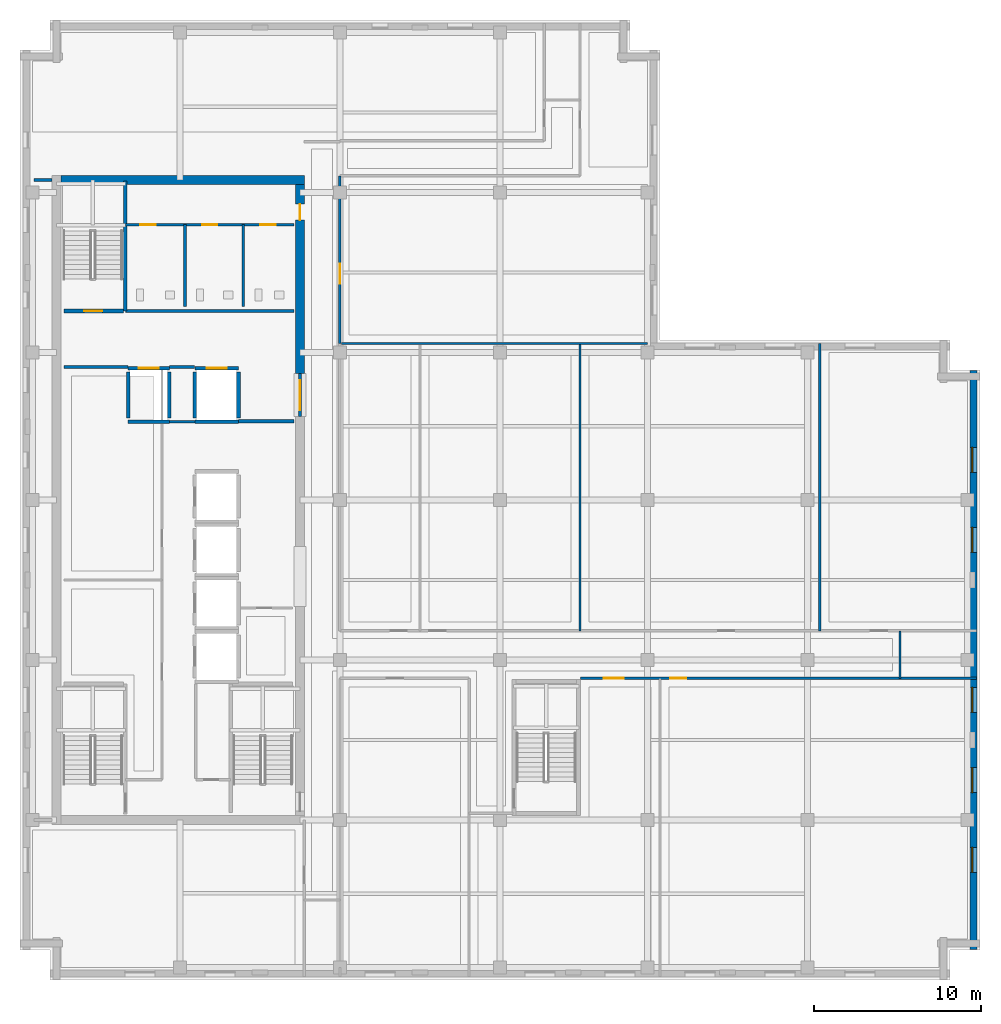
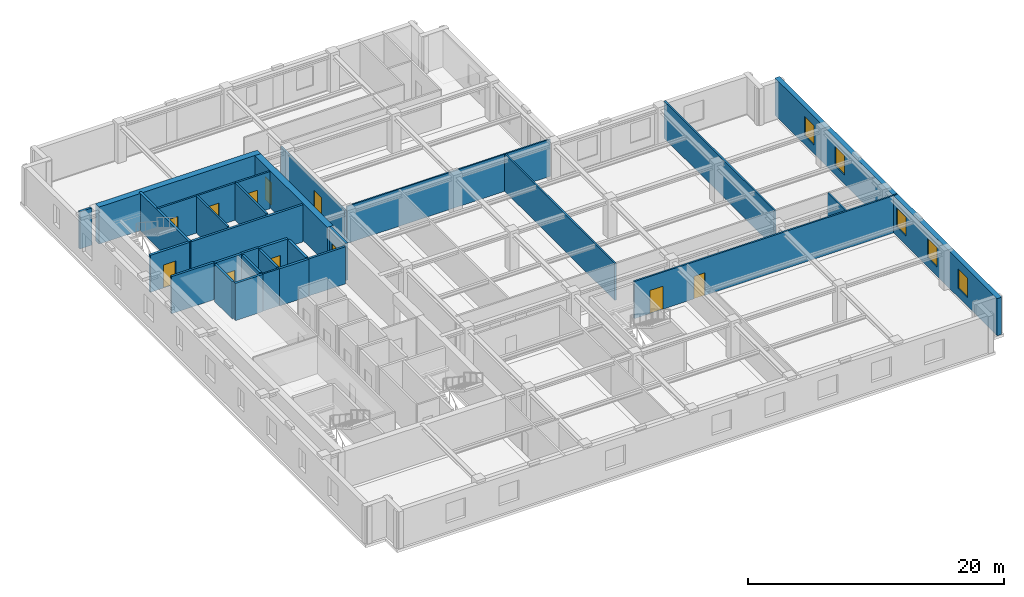
# One storey, part 5 of 10: 29 walls, 11 doors, 5 windows, 16 openings.
"""IFC4 building model written with IfcOpenShell, lengths in metres."""

from ifc_helpers import new_model, si_unit, direction, frame, frame_2d, origin, place, context, subcontext, project, spatial, rectangle, extrude, material, layer, layer_set, type_object, element, fill, save


model = new_model("IFC4")

# Units and contexts
model_context = context("Model", 3, precision=1e-05, world=origin(), true_north=direction((0.0, 1.0)))
body_context = subcontext(model_context, "Body", "Model", "MODEL_VIEW")
ifc_project = project(units=[si_unit("LENGTHUNIT", "METRE"), si_unit("AREAUNIT", "SQUARE_METRE"), si_unit("VOLUMEUNIT", "CUBIC_METRE"), si_unit("PLANEANGLEUNIT", "RADIAN"), si_unit("MASSUNIT", "GRAM", prefix="KILO")], contexts=[model_context])

# Site, building, storey
site_placement = place(None, origin())
site = spatial("IfcSite", under=ifc_project, at=site_placement, CompositionType="ELEMENT")
building_placement = place(site_placement, origin())
building = spatial("IfcBuilding", under=site, at=building_placement, Name="Norrvale University Quadrangle", CompositionType="ELEMENT")
storey_placement = place(building_placement, frame((0.0, 0.0, 229.39990234375)))
storey = spatial("IfcBuildingStorey", under=building, at=storey_placement, Name="L58", CompositionType="ELEMENT", Elevation=229.39990234375)

# Wall, openings, windows
ifc_material_1 = material(Name="Buff Norman Clay Brick Masonry", Category="masonry")
ifc_layer_1 = layer(ifc_material_1, 0.419921875, Name="Buff Norman Clay Brick Masonry")
ifc_layer_set_1 = layer_set([ifc_layer_1], Name="Buff Norman Clay Brick Masonry")
wall_type_1 = type_object("IfcWallType", Name="Wall Buff Brick 420", PredefinedType="SOLIDWALL", material=ifc_layer_set_1)
wall_1_placement = place(storey_placement, frame((57.2099609375, 1.840087890625, 0.0), z_axis=(0.0, 0.0, 1.0), x_axis=(0.0, 1.0, 0.0)))
wall_1 = element("IfcWall", 1, at=wall_1_placement, inside=storey, type_object=wall_type_1, Name="Exterior Brick Facade Wall L58-04.1", PredefinedType="SOLIDWALL", context=body_context, shape_type="SweptSolid", body=[
    extrude(rectangle(XDim=34.719970703125, YDim=0.419921875, at=frame_2d((17.35986328125, 0.0))), origin(), (0.0, 0.0, 1.0), 3.5400390625),
])
opening_1_placement = place(wall_1_placement, frame((4.610107421875, 0.0, 0.85009765625)))
opening_1 = element("IfcOpeningElement", 2, at=opening_1_placement, cuts=wall_1, Name="Opening W03", PredefinedType="OPENING", context=body_context, shape_type="SweptSolid", body=[
    extrude(rectangle(XDim=1.5, YDim=1.85009765625, at=frame_2d((0.75, 0.925048828125))), frame((0.0, 0.221923828125, 0.0), z_axis=(0.0, -1.0, 0.0), x_axis=(1.0, 0.0, 0.0)), (0.0, 0.0, 1.0), 0.44384765625),
])
opening_2_placement = place(wall_1_placement, frame((9.409912109375, 0.0, 0.85009765625)))
opening_2 = element("IfcOpeningElement", 3, at=opening_2_placement, cuts=wall_1, Name="Opening W03", PredefinedType="OPENING", context=body_context, shape_type="SweptSolid", body=[
    extrude(rectangle(XDim=1.5, YDim=1.85009765625, at=frame_2d((0.75, 0.925048828125))), frame((0.0, 0.221923828125, 0.0), z_axis=(0.0, -1.0, 0.0), x_axis=(1.0, 0.0, 0.0)), (0.0, 0.0, 1.0), 0.44384765625),
])
opening_3_placement = place(wall_1_placement, frame((14.2099609375, 0.0, 0.85009765625)))
opening_3 = element("IfcOpeningElement", 4, at=opening_3_placement, cuts=wall_1, Name="Opening W03", PredefinedType="OPENING", context=body_context, shape_type="SweptSolid", body=[
    extrude(rectangle(XDim=1.5, YDim=1.85009765625, at=frame_2d((0.75, 0.925048828125))), frame((0.0, 0.221923828125, 0.0), z_axis=(0.0, -1.0, 0.0), x_axis=(1.0, 0.0, 0.0)), (0.0, 0.0, 1.0), 0.44384765625),
])
opening_4_placement = place(wall_1_placement, frame((23.81005859375, 0.0, 0.85009765625)))
opening_4 = element("IfcOpeningElement", 5, at=opening_4_placement, cuts=wall_1, Name="Opening W03", PredefinedType="OPENING", context=body_context, shape_type="SweptSolid", body=[
    extrude(rectangle(XDim=1.5, YDim=1.85009765625, at=frame_2d((0.75, 0.925048828125))), frame((0.0, 0.221923828125, 0.0), z_axis=(0.0, -1.0, 0.0), x_axis=(1.0, 0.0, 0.0)), (0.0, 0.0, 1.0), 0.44384765625),
])
opening_5_placement = place(wall_1_placement, frame((28.610107421875, 0.0, 0.85009765625)))
opening_5 = element("IfcOpeningElement", 6, at=opening_5_placement, cuts=wall_1, Name="Opening W03", PredefinedType="OPENING", context=body_context, shape_type="SweptSolid", body=[
    extrude(rectangle(XDim=1.5, YDim=1.85009765625, at=frame_2d((0.75, 0.925048828125))), frame((0.0, 0.221923828125, 0.0), z_axis=(0.0, -1.0, 0.0), x_axis=(1.0, 0.0, 0.0)), (0.0, 0.0, 1.0), 0.44384765625),
])
ifc_material_2 = material(Name="Triple Low-E Argon Glazing", Category="glass")
window_type = type_object("IfcWindowType", Name="Window Studio 1500x2300", PartitioningType="DOUBLE_PANEL_VERTICAL", PredefinedType="WINDOW", material=ifc_material_2)
window_1_placement = place(opening_1_placement, origin())
window_1 = element("IfcWindow", 7, at=window_1_placement, inside=storey, type_object=window_type, Name="Window Studio 1500x2300 WIN-L58-E04-1-01", OverallHeight=1.85009765625, OverallWidth=1.5, PartitioningType="DOUBLE_PANEL_VERTICAL", PredefinedType="WINDOW", context=body_context, shape_type="SweptSolid", body=[
    extrude(rectangle(XDim=1.5, YDim=1.85009765625, at=frame_2d((0.75, 0.925048828125))), frame((0.0, 0.110107421875, 0.0), z_axis=(0.0, -1.0, 0.0), x_axis=(1.0, 0.0, 0.0)), (0.0, 0.0, 1.0), 0.06005859375),
])
fill(opening_1, window_1)
window_2_placement = place(opening_2_placement, origin())
window_2 = element("IfcWindow", 8, at=window_2_placement, inside=storey, type_object=window_type, Name="Window Studio 1500x2300 WIN-L58-E04-1-02", OverallHeight=1.85009765625, OverallWidth=1.5, PartitioningType="DOUBLE_PANEL_VERTICAL", PredefinedType="WINDOW", context=body_context, shape_type="SweptSolid", body=[
    extrude(rectangle(XDim=1.5, YDim=1.85009765625, at=frame_2d((0.75, 0.925048828125))), frame((0.0, 0.110107421875, 0.0), z_axis=(0.0, -1.0, 0.0), x_axis=(1.0, 0.0, 0.0)), (0.0, 0.0, 1.0), 0.06005859375),
])
fill(opening_2, window_2)
window_3_placement = place(opening_3_placement, origin())
window_3 = element("IfcWindow", 9, at=window_3_placement, inside=storey, type_object=window_type, Name="Window Studio 1500x2300 WIN-L58-E04-1-03", OverallHeight=1.85009765625, OverallWidth=1.5, PartitioningType="DOUBLE_PANEL_VERTICAL", PredefinedType="WINDOW", context=body_context, shape_type="SweptSolid", body=[
    extrude(rectangle(XDim=1.5, YDim=1.85009765625, at=frame_2d((0.75, 0.925048828125))), frame((0.0, 0.110107421875, 0.0), z_axis=(0.0, -1.0, 0.0), x_axis=(1.0, 0.0, 0.0)), (0.0, 0.0, 1.0), 0.06005859375),
])
fill(opening_3, window_3)
window_4_placement = place(opening_4_placement, origin())
window_4 = element("IfcWindow", 10, at=window_4_placement, inside=storey, type_object=window_type, Name="Window Studio 1500x2300 WIN-L58-E04-1-04", OverallHeight=1.85009765625, OverallWidth=1.5, PartitioningType="DOUBLE_PANEL_VERTICAL", PredefinedType="WINDOW", context=body_context, shape_type="SweptSolid", body=[
    extrude(rectangle(XDim=1.5, YDim=1.85009765625, at=frame_2d((0.75, 0.925048828125))), frame((0.0, 0.110107421875, 0.0), z_axis=(0.0, -1.0, 0.0), x_axis=(1.0, 0.0, 0.0)), (0.0, 0.0, 1.0), 0.06005859375),
])
fill(opening_4, window_4)
window_5_placement = place(opening_5_placement, origin())
window_5 = element("IfcWindow", 11, at=window_5_placement, inside=storey, type_object=window_type, Name="Window Studio 1500x2300 WIN-L58-E04-1-05", OverallHeight=1.85009765625, OverallWidth=1.5, PartitioningType="DOUBLE_PANEL_VERTICAL", PredefinedType="WINDOW", context=body_context, shape_type="SweptSolid", body=[
    extrude(rectangle(XDim=1.5, YDim=1.85009765625, at=frame_2d((0.75, 0.925048828125))), frame((0.0, 0.110107421875, 0.0), z_axis=(0.0, -1.0, 0.0), x_axis=(1.0, 0.0, 0.0)), (0.0, 0.0, 1.0), 0.06005859375),
])
fill(opening_5, window_5)

# Wall
ifc_material_3 = material(Name="Concrete C60/75", Category="concrete")
ifc_layer_2 = layer(ifc_material_3, 0.550048828125, Name="Concrete C60/75")
ifc_layer_set_2 = layer_set([ifc_layer_2], Name="Concrete C60/75")
wall_type_2 = type_object("IfcWallType", Name="Wall Core 550", PredefinedType="SHEAR", material=ifc_layer_set_2)
wall_2_placement = place(storey_placement, frame((2.47509765625, 48.0, 0.0), z_axis=(0.0, 0.0, 1.0), x_axis=(1.0, 0.0, 0.0)))
element("IfcWall", 12, at=wall_2_placement, inside=storey, type_object=wall_type_2, Name="Tower Core Shear Wall L58-N", PredefinedType="SHEAR", context=body_context, shape_type="SweptSolid", body=[
    extrude(rectangle(XDim=14.599853515625, YDim=0.550048828125, at=frame_2d((7.2998046875, 0.0))), origin(), (0.0, 0.0, 1.0), 3.5400390625),
])

# Wall, opening, door
wall_3_placement = place(storey_placement, frame((16.800048828125, 36.39990234375, 0.0), z_axis=(0.0, 0.0, 1.0), x_axis=(0.0, 1.0, 0.0)))
wall_3 = element("IfcWall", 13, at=wall_3_placement, inside=storey, type_object=wall_type_2, Name="Tower Core Shear Wall L58-E3", PredefinedType="SHEAR", context=body_context, shape_type="SweptSolid", body=[
    extrude(rectangle(XDim=11.3251953125, YDim=0.550048828125, at=frame_2d((5.66259765625, 0.0))), origin(), (0.0, 0.0, 1.0), 3.5400390625),
])
opening_6_placement = place(wall_3_placement, frame((9.199951171875, 0.0, 0.0)))
opening_6 = element("IfcOpeningElement", 14, at=opening_6_placement, cuts=wall_3, Name="Opening D07", PredefinedType="OPENING", context=body_context, shape_type="SweptSolid", body=[
    extrude(rectangle(XDim=0.949951171875, YDim=2.14990234375, at=frame_2d((0.47509765625, 1.074951171875))), frame((0.0, 0.287109375, 0.0), z_axis=(0.0, -1.0, 0.0), x_axis=(1.0, 0.0, 0.0)), (0.0, 0.0, 1.0), 0.573974609375),
])
ifc_material_4 = material(Name="Solid-Core Maple Door", Category="wood")
door_type_1 = type_object("IfcDoorType", Name="Door Office 950x2150", OperationType="NOTDEFINED", PredefinedType="DOOR", material=ifc_material_4)
door_1_placement = place(opening_6_placement, origin())
door_1 = element("IfcDoor", 15, at=door_1_placement, inside=storey, type_object=door_type_1, Name="Door Office 950x2150 DR-L58-NECORR", OperationType="SINGLE_SWING_LEFT", OverallHeight=2.14990234375, OverallWidth=0.949951171875, PredefinedType="DOOR", context=body_context, shape_type="SweptSolid", body=[
    extrude(rectangle(XDim=0.949951171875, YDim=2.14990234375, at=frame_2d((0.47509765625, 1.074951171875))), frame((0.0, 0.02490234375, 0.0), z_axis=(0.0, -1.0, 0.0), x_axis=(1.0, 0.0, 0.0)), (0.0, 0.0, 1.0), 0.050048828125),
])
fill(opening_6, door_1)

# Walls
ifc_material_5 = material(Name="Standard Academic Gypsum Partition")
ifc_layer_3 = layer(ifc_material_5, 0.125, Name="Standard Academic Gypsum Partition")
ifc_layer_set_3 = layer_set([ifc_layer_3], Name="Standard Academic Gypsum Partition")
wall_type_3 = type_object("IfcWallType", Name="Wall Gypsum Academic 125", PredefinedType="PARTITIONING", material=ifc_layer_set_3)
wall_4_placement = place(storey_placement, frame((19.280029296875, 38.179931640625, 0.0), z_axis=(0.0, 0.0, 1.0), x_axis=(1.0, 0.0, 0.0)))
element("IfcWall", 16, at=wall_4_placement, inside=storey, type_object=wall_type_3, Name="Interior Partition WL-L58-ME-N", PredefinedType="PARTITIONING", context=body_context, shape_type="SweptSolid", body=[
    extrude(rectangle(XDim=18.369873046875, YDim=0.125, at=frame_2d((9.18505859375, 0.0))), origin(), (0.0, 0.0, 1.0), 3.5400390625),
])
ifc_material_6 = material(Name="Fire-Rated Gypsum Stud Partition")
ifc_layer_4 = layer(ifc_material_6, 0.14990234375, Name="Fire-Rated Gypsum Stud Partition")
ifc_layer_set_4 = layer_set([ifc_layer_4], Name="Fire-Rated Gypsum Stud Partition")
wall_type_4 = type_object("IfcWallType", Name="Wall Gypsum Corridor 150", PredefinedType="PARTITIONING", material=ifc_layer_set_4)
wall_5_placement = place(storey_placement, frame((8.965087890625, 33.489990234375, 0.0), z_axis=(0.0, 0.0, 1.0), x_axis=(1.0, 0.0, 0.0)))
element("IfcWall", 17, at=wall_5_placement, inside=storey, type_object=wall_type_4, Name="Interior Partition WL-L58-LL3", PredefinedType="PARTITIONING", context=body_context, shape_type="SweptSolid", body=[
    extrude(rectangle(XDim=1.52001953125, YDim=0.14990234375, at=frame_2d((0.760009765625, 0.0))), origin(), (0.0, 0.0, 1.0), 3.5400390625),
])
wall_6_placement = place(storey_placement, frame((52.800048828125, 18.10009765625, 0.0), z_axis=(0.0, 0.0, 1.0), x_axis=(0.0, 1.0, 0.0)))
element("IfcWall", 18, at=wall_6_placement, inside=storey, type_object=wall_type_4, Name="Interior Partition WL-L58-CESP-E", PredefinedType="PARTITIONING", context=body_context, shape_type="SweptSolid", body=[
    extrude(rectangle(XDim=2.849853515625, YDim=0.14990234375, at=frame_2d((1.4248046875, 0.0))), origin(), (0.0, 0.0, 1.0), 3.5400390625),
])

# Wall, openings, doors
wall_7_placement = place(storey_placement, frame((33.6201171875, 18.10009765625, 0.0), z_axis=(0.0, 0.0, 1.0), x_axis=(1.0, 0.0, 0.0)))
wall_7 = element("IfcWall", 19, at=wall_7_placement, inside=storey, type_object=wall_type_4, Name="Interior Partition WL-L58-SEW2", PredefinedType="PARTITIONING", context=body_context, shape_type="SweptSolid", body=[
    extrude(rectangle(XDim=23.759765625, YDim=0.14990234375, at=frame_2d((11.8798828125, 0.0))), origin(), (0.0, 0.0, 1.0), 3.5400390625),
])
opening_7_placement = place(wall_7_placement, frame((1.39990234375, 0.0, 0.0)))
opening_7 = element("IfcOpeningElement", 20, at=opening_7_placement, cuts=wall_7, Name="Opening D05", PredefinedType="OPENING", context=body_context, shape_type="SweptSolid", body=[
    extrude(rectangle(XDim=1.199951171875, YDim=2.199951171875, at=frame_2d((0.60009765625, 1.10009765625))), frame((0.0, 0.0869140625, 0.0), z_axis=(0.0, -1.0, 0.0), x_axis=(1.0, 0.0, 0.0)), (0.0, 0.0, 1.0), 0.173828125),
])
opening_8_placement = place(wall_7_placement, frame((5.39990234375, 0.0, 0.0)))
opening_8 = element("IfcOpeningElement", 21, at=opening_8_placement, cuts=wall_7, Name="Opening D07", PredefinedType="OPENING", context=body_context, shape_type="SweptSolid", body=[
    extrude(rectangle(XDim=0.949951171875, YDim=2.14990234375, at=frame_2d((0.47509765625, 1.074951171875))), frame((0.0, 0.0869140625, 0.0), z_axis=(0.0, -1.0, 0.0), x_axis=(1.0, 0.0, 0.0)), (0.0, 0.0, 1.0), 0.173828125),
])
ifc_material_7 = material(Name="Acoustic Oak Classroom Door", Category="wood")
door_type_2 = type_object("IfcDoorType", Name="Door Classroom 1200x2200", OperationType="NOTDEFINED", PredefinedType="DOOR", material=ifc_material_7)
door_2_placement = place(opening_7_placement, origin())
door_2 = element("IfcDoor", 22, at=door_2_placement, inside=storey, type_object=door_type_2, Name="Door Classroom 1200x2200 DR-L58-SE2", OperationType="SINGLE_SWING_RIGHT", OverallHeight=2.199951171875, OverallWidth=1.199951171875, PredefinedType="DOOR", context=body_context, shape_type="SweptSolid", body=[
    extrude(rectangle(XDim=1.199951171875, YDim=2.199951171875, at=frame_2d((0.60009765625, 1.10009765625))), frame((0.0, 0.02490234375, 0.0), z_axis=(0.0, -1.0, 0.0), x_axis=(1.0, 0.0, 0.0)), (0.0, 0.0, 1.0), 0.050048828125),
])
fill(opening_7, door_2)
door_3_placement = place(opening_8_placement, origin())
door_3 = element("IfcDoor", 23, at=door_3_placement, inside=storey, type_object=door_type_1, Name="Door Office 950x2150 DR-L58-SE3", OperationType="SINGLE_SWING_LEFT", OverallHeight=2.14990234375, OverallWidth=0.949951171875, PredefinedType="DOOR", context=body_context, shape_type="SweptSolid", body=[
    extrude(rectangle(XDim=0.949951171875, YDim=2.14990234375, at=frame_2d((0.47509765625, 1.074951171875))), frame((0.0, 0.02490234375, 0.0), z_axis=(0.0, -1.0, 0.0), x_axis=(1.0, 0.0, 0.0)), (0.0, 0.0, 1.0), 0.050048828125),
])
fill(opening_8, door_3)

# Walls
for number, where, z_axis, x_axis, name in (
    (24, (33.60009765625, 20.949951171875, 0.0), (0.0, 0.0, 1.0), (0.0, 1.0, 0.0), "Interior Partition WL-L58-MEP02"),
    (25, (48.0, 20.949951171875, 0.0), (0.0, 0.0, 1.0), (0.0, 1.0, 0.0), "Interior Partition WL-L58-MEP03"),
):
    element("IfcWall", number, at=place(storey_placement, frame(where, z_axis=z_axis, x_axis=x_axis)), inside=storey, type_object=wall_type_4, Name=name, PredefinedType="PARTITIONING", context=body_context, shape_type="SweptSolid", body=[
        extrude(rectangle(XDim=17.22998046875, YDim=0.14990234375, at=frame_2d((8.614990234375, 0.0))), origin(), (0.0, 0.0, 1.0), 3.5400390625),
    ])

# Wall, opening, door
wall_8_placement = place(storey_placement, frame((19.199951171875, 38.179931640625, 0.0), z_axis=(0.0, 0.0, 1.0), x_axis=(0.0, 1.0, 0.0)))
wall_8 = element("IfcWall", 26, at=wall_8_placement, inside=storey, type_object=wall_type_4, Name="Interior Partition WL-L58-MNECW", PredefinedType="PARTITIONING", context=body_context, shape_type="SweptSolid", body=[
    extrude(rectangle(XDim=10.070068359375, YDim=0.14990234375, at=frame_2d((5.03515625, 0.0))), origin(), (0.0, 0.0, 1.0), 3.18408203125),
])
opening_9_placement = place(wall_8_placement, frame((3.60009765625, 0.0, 0.0)))
opening_9 = element("IfcOpeningElement", 27, at=opening_9_placement, cuts=wall_8, Name="Opening D05", PredefinedType="OPENING", context=body_context, shape_type="SweptSolid", body=[
    extrude(rectangle(XDim=1.199951171875, YDim=2.199951171875, at=frame_2d((0.60009765625, 1.10009765625))), frame((0.0, 0.0869140625, 0.0), z_axis=(0.0, -1.0, 0.0), x_axis=(1.0, 0.0, 0.0)), (0.0, 0.0, 1.0), 0.173828125),
])
door_4_placement = place(opening_9_placement, origin())
door_4 = element("IfcDoor", 28, at=door_4_placement, inside=storey, type_object=door_type_2, Name="Door Classroom 1200x2200 DR-L58-MNE01", OperationType="SINGLE_SWING_RIGHT", OverallHeight=2.199951171875, OverallWidth=1.199951171875, PredefinedType="DOOR", context=body_context, shape_type="SweptSolid", body=[
    extrude(rectangle(XDim=1.199951171875, YDim=2.199951171875, at=frame_2d((0.60009765625, 1.10009765625))), frame((0.0, 0.02490234375, 0.0), z_axis=(0.0, -1.0, 0.0), x_axis=(1.0, 0.0, 0.0)), (0.0, 0.0, 1.0), 0.050048828125),
])
fill(opening_9, door_4)

# Wall, openings, doors
ifc_material_8 = material(Name="Sanitary Chase Gypsum Partition")
ifc_layer_5 = layer(ifc_material_8, 0.1650390625, Name="Sanitary Chase Gypsum Partition")
ifc_layer_set_5 = layer_set([ifc_layer_5], Name="Sanitary Chase Gypsum Partition")
wall_type_5 = type_object("IfcWallType", Name="Wall Gypsum Sanitary 165", PredefinedType="PLUMBINGWALL", material=ifc_layer_set_5)
wall_9_placement = place(storey_placement, frame((6.320068359375, 45.320068359375, 0.0), z_axis=(0.0, 0.0, 1.0), x_axis=(1.0, 0.0, 0.0)))
wall_9 = element("IfcWall", 29, at=wall_9_placement, inside=storey, type_object=wall_type_5, Name="Interior Partition WL-L58-WCN", PredefinedType="PLUMBINGWALL", context=body_context, shape_type="SweptSolid", body=[
    extrude(rectangle(XDim=10.1298828125, YDim=0.1650390625, at=frame_2d((5.06494140625, 0.0))), origin(), (0.0, 0.0, 1.0), 3.5400390625),
])
opening_10_placement = place(wall_9_placement, frame((0.89990234375, 0.0, 0.0)))
opening_10 = element("IfcOpeningElement", 30, at=opening_10_placement, cuts=wall_9, Name="Opening D08", PredefinedType="OPENING", context=body_context, shape_type="SweptSolid", body=[
    extrude(rectangle(XDim=0.919921875, YDim=2.14990234375, at=frame_2d((0.4599609375, 1.074951171875))), frame((0.0, 0.094482421875, 0.0), z_axis=(0.0, -1.0, 0.0), x_axis=(1.0, 0.0, 0.0)), (0.0, 0.0, 1.0), 0.18896484375),
])
opening_11_placement = place(wall_9_placement, frame((4.60009765625, 0.0, 0.0)))
opening_11 = element("IfcOpeningElement", 31, at=opening_11_placement, cuts=wall_9, Name="Opening D08", PredefinedType="OPENING", context=body_context, shape_type="SweptSolid", body=[
    extrude(rectangle(XDim=0.919921875, YDim=2.14990234375, at=frame_2d((0.4599609375, 1.074951171875))), frame((0.0, 0.094482421875, 0.0), z_axis=(0.0, -1.0, 0.0), x_axis=(1.0, 0.0, 0.0)), (0.0, 0.0, 1.0), 0.18896484375),
])
opening_12_placement = place(wall_9_placement, frame((8.10009765625, 0.0, 0.0)))
opening_12 = element("IfcOpeningElement", 32, at=opening_12_placement, cuts=wall_9, Name="Opening D08", PredefinedType="OPENING", context=body_context, shape_type="SweptSolid", body=[
    extrude(rectangle(XDim=0.919921875, YDim=2.14990234375, at=frame_2d((0.4599609375, 1.074951171875))), frame((0.0, 0.094482421875, 0.0), z_axis=(0.0, -1.0, 0.0), x_axis=(1.0, 0.0, 0.0)), (0.0, 0.0, 1.0), 0.18896484375),
])
ifc_material_9 = material(Name="Laminate Washroom Door", Category="wood")
door_type_3 = type_object("IfcDoorType", Name="Door Washroom 920x2150", OperationType="NOTDEFINED", PredefinedType="DOOR", material=ifc_material_9)
door_5_placement = place(opening_10_placement, origin())
door_5 = element("IfcDoor", 33, at=door_5_placement, inside=storey, type_object=door_type_3, Name="Door Washroom 920x2150 DR-L58-WC1", OperationType="SINGLE_SWING_LEFT", OverallHeight=2.14990234375, OverallWidth=0.919921875, PredefinedType="DOOR", context=body_context, shape_type="SweptSolid", body=[
    extrude(rectangle(XDim=0.919921875, YDim=2.14990234375, at=frame_2d((0.4599609375, 1.074951171875))), frame((0.0, 0.02490234375, 0.0), z_axis=(0.0, -1.0, 0.0), x_axis=(1.0, 0.0, 0.0)), (0.0, 0.0, 1.0), 0.050048828125),
])
fill(opening_10, door_5)
door_6_placement = place(opening_11_placement, origin())
door_6 = element("IfcDoor", 34, at=door_6_placement, inside=storey, type_object=door_type_3, Name="Door Washroom 920x2150 DR-L58-WC2", OperationType="SINGLE_SWING_RIGHT", OverallHeight=2.14990234375, OverallWidth=0.919921875, PredefinedType="DOOR", context=body_context, shape_type="SweptSolid", body=[
    extrude(rectangle(XDim=0.919921875, YDim=2.14990234375, at=frame_2d((0.4599609375, 1.074951171875))), frame((0.0, 0.02490234375, 0.0), z_axis=(0.0, -1.0, 0.0), x_axis=(1.0, 0.0, 0.0)), (0.0, 0.0, 1.0), 0.050048828125),
])
fill(opening_11, door_6)
door_7_placement = place(opening_12_placement, origin())
door_7 = element("IfcDoor", 35, at=door_7_placement, inside=storey, type_object=door_type_3, Name="Door Washroom 920x2150 DR-L58-WC3", OperationType="SINGLE_SWING_LEFT", OverallHeight=2.14990234375, OverallWidth=0.919921875, PredefinedType="DOOR", context=body_context, shape_type="SweptSolid", body=[
    extrude(rectangle(XDim=0.919921875, YDim=2.14990234375, at=frame_2d((0.4599609375, 1.074951171875))), frame((0.0, 0.02490234375, 0.0), z_axis=(0.0, -1.0, 0.0), x_axis=(1.0, 0.0, 0.0)), (0.0, 0.0, 1.0), 0.050048828125),
])
fill(opening_12, door_7)

# Walls
for number, where, z_axis, x_axis, name in (
    (36, (9.89990234375, 40.39990234375, 0.0), (0.0, 0.0, 1.0), (0.0, 1.0, 0.0), "Interior Partition WL-L58-WCM1"),
    (37, (13.39990234375, 40.39990234375, 0.0), (0.0, 0.0, 1.0), (0.0, 1.0, 0.0), "Interior Partition WL-L58-WCM2"),
):
    element("IfcWall", number, at=place(storey_placement, frame(where, z_axis=z_axis, x_axis=x_axis)), inside=storey, type_object=wall_type_5, Name=name, PredefinedType="PLUMBINGWALL", context=body_context, shape_type="SweptSolid", body=[
        extrude(rectangle(XDim=4.920166015625, YDim=0.1650390625, at=frame_2d((2.4599609375, 0.0))), origin(), (0.0, 0.0, 1.0), 3.5400390625),
    ])
ifc_material_10 = material(Name="Concrete Blockwork 20 MPa Rated Wall", Category="masonry")
ifc_layer_6 = layer(ifc_material_10, 0.199951171875, Name="Concrete Blockwork 20 MPa Rated Wall")
ifc_layer_set_6 = layer_set([ifc_layer_6], Name="Concrete Blockwork 20 MPa Rated Wall")
wall_type_6 = type_object("IfcWallType", Name="Wall Lobby 200", PredefinedType="SOLIDWALL", material=ifc_layer_set_6)
wall_10_placement = place(storey_placement, frame((2.64990234375, 36.780029296875, 0.0), z_axis=(0.0, 0.0, 1.0), x_axis=(1.0, 0.0, 0.0)))
element("IfcWall", 38, at=wall_10_placement, inside=storey, type_object=wall_type_6, Name="Interior Partition WL-L58-FF1", PredefinedType="SOLIDWALL", context=body_context, shape_type="SweptSolid", body=[
    extrude(rectangle(XDim=3.830078125, YDim=0.199951171875, at=frame_2d((1.9150390625, 0.0))), origin(), (0.0, 0.0, 1.0), 3.5400390625),
])
wall_11_placement = place(storey_placement, frame((8.969970703125, 36.780029296875, 0.0), z_axis=(0.0, 0.0, 1.0), x_axis=(1.0, 0.0, 0.0)))
element("IfcWall", 39, at=wall_11_placement, inside=storey, type_object=wall_type_6, Name="Interior Partition WL-L58-FF2", PredefinedType="SOLIDWALL", context=body_context, shape_type="SweptSolid", body=[
    extrude(rectangle(XDim=1.510009765625, YDim=0.199951171875, at=frame_2d((0.7548828125, 0.0))), origin(), (0.0, 0.0, 1.0), 3.5400390625),
])
wall_12_placement = place(storey_placement, frame((13.1201171875, 33.52001953125, 0.0), z_axis=(0.0, 0.0, 1.0), x_axis=(1.0, 0.0, 0.0)))
element("IfcWall", 40, at=wall_12_placement, inside=storey, type_object=wall_type_6, Name="Interior Partition WL-L58-FF3", PredefinedType="SOLIDWALL", context=body_context, shape_type="SweptSolid", body=[
    extrude(rectangle(XDim=3.329833984375, YDim=0.199951171875, at=frame_2d((1.6650390625, 0.0))), origin(), (0.0, 0.0, 1.0), 3.5400390625),
])
wall_13_placement = place(storey_placement, frame((6.320068359375, 40.139892578125, 0.0), z_axis=(0.0, 0.0, 1.0), x_axis=(1.0, 0.0, 0.0)))
element("IfcWall", 41, at=wall_13_placement, inside=storey, type_object=wall_type_6, Name="Interior Partition WL-L58-FF4", PredefinedType="SOLIDWALL", context=body_context, shape_type="SweptSolid", body=[
    extrude(rectangle(XDim=10.1298828125, YDim=0.199951171875, at=frame_2d((5.06494140625, 0.0))), origin(), (0.0, 0.0, 1.0), 3.5400390625),
])

# Wall, opening, door
wall_14_placement = place(storey_placement, frame((16.800048828125, 33.800048828125, 0.0), z_axis=(0.0, 0.0, 1.0), x_axis=(0.0, 1.0, 0.0)))
wall_14 = element("IfcWall", 42, at=wall_14_placement, inside=storey, type_object=wall_type_6, Name="Interior Partition WL-L58-FFP", PredefinedType="SOLIDWALL", context=body_context, shape_type="SweptSolid", body=[
    extrude(rectangle(XDim=2.599853515625, YDim=0.199951171875, at=frame_2d((1.2998046875, 0.0))), origin(), (0.0, 0.0, 1.0), 3.5400390625),
])
opening_13_placement = place(wall_14_placement, frame((0.39990234375, 0.0, 0.0)))
opening_13 = element("IfcOpeningElement", 43, at=opening_13_placement, cuts=wall_14, Name="Opening D03", PredefinedType="OPENING", context=body_context, shape_type="SweptSolid", body=[
    extrude(rectangle(XDim=1.800048828125, YDim=2.199951171875, at=frame_2d((0.89990234375, 1.10009765625))), frame((0.0, 0.112060546875, 0.0), z_axis=(0.0, -1.0, 0.0), x_axis=(1.0, 0.0, 0.0)), (0.0, 0.0, 1.0), 0.223876953125),
])
ifc_material_11 = material(Name="Hollow Steel 350W Fire Door", Category="steel")
door_type_4 = type_object("IfcDoorType", Name="Door Fire Lobby 1800x2200", OperationType="DOUBLE_DOOR_SINGLE_SWING", PredefinedType="DOOR", material=ifc_material_11)
door_8_placement = place(opening_13_placement, origin())
door_8 = element("IfcDoor", 44, at=door_8_placement, inside=storey, type_object=door_type_4, Name="Door Fire Lobby 1800x2200 DR-L58-FFP", OperationType="DOUBLE_DOOR_SINGLE_SWING", OverallHeight=2.199951171875, OverallWidth=1.800048828125, PredefinedType="DOOR", context=body_context, shape_type="SweptSolid", body=[
    extrude(rectangle(XDim=1.800048828125, YDim=2.199951171875, at=frame_2d((0.89990234375, 1.10009765625))), frame((0.0, 0.02490234375, 0.0), z_axis=(0.0, -1.0, 0.0), x_axis=(1.0, 0.0, 0.0)), (0.0, 0.0, 1.0), 0.050048828125),
])
fill(opening_13, door_8)

# Wall
wall_15_placement = place(storey_placement, frame((0.85009765625, 48.0, 0.0), z_axis=(0.0, 0.0, 1.0), x_axis=(1.0, 0.0, 0.0)))
element("IfcWall", 45, at=wall_15_placement, inside=storey, type_object=wall_type_6, Name="Interior Partition WL-L58-CWRET-N", PredefinedType="SOLIDWALL", context=body_context, shape_type="SweptSolid", body=[
    extrude(rectangle(XDim=1.06982421875, YDim=0.199951171875, at=frame_2d((0.534912109375, 0.0))), origin(), (0.0, 0.0, 1.0), 3.5400390625),
])

# Wall, opening, door
ifc_material_12 = material(Name="Concrete Blockwork 20 MPa Fire Shaft", Category="masonry")
ifc_layer_7 = layer(ifc_material_12, 0.219970703125, Name="Concrete Blockwork 20 MPa Fire Shaft")
ifc_layer_set_7 = layer_set([ifc_layer_7], Name="Concrete Blockwork 20 MPa Fire Shaft")
wall_type_7 = type_object("IfcWallType", Name="Wall Shaft 220", PredefinedType="SOLIDWALL", material=ifc_layer_set_7)
wall_16_placement = place(storey_placement, frame((2.64990234375, 40.139892578125, 0.0), z_axis=(0.0, 0.0, 1.0), x_axis=(1.0, 0.0, 0.0)))
wall_16 = element("IfcWall", 46, at=wall_16_placement, inside=storey, type_object=wall_type_7, Name="Stair ST-02 South Shaft Wall L58", PredefinedType="SOLIDWALL", context=body_context, shape_type="SweptSolid", body=[
    extrude(rectangle(XDim=3.550048828125, YDim=0.219970703125, at=frame_2d((1.77490234375, 0.0))), origin(), (0.0, 0.0, 1.0), 3.5400390625),
])
opening_14_placement = place(wall_16_placement, frame((1.199951171875, 0.0, 0.0)))
opening_14 = element("IfcOpeningElement", 47, at=opening_14_placement, cuts=wall_16, Name="Opening D02", PredefinedType="OPENING", context=body_context, shape_type="SweptSolid", body=[
    extrude(rectangle(XDim=1.10009765625, YDim=2.199951171875, at=frame_2d((0.550048828125, 1.10009765625))), frame((0.0, 0.1220703125, 0.0), z_axis=(0.0, -1.0, 0.0), x_axis=(1.0, 0.0, 0.0)), (0.0, 0.0, 1.0), 0.243896484375),
])
door_type_5 = type_object("IfcDoorType", Name="Door Stair Exit 1100x2200", OperationType="NOTDEFINED", PredefinedType="DOOR", material=ifc_material_11)
door_9_placement = place(opening_14_placement, origin())
door_9 = element("IfcDoor", 48, at=door_9_placement, inside=storey, type_object=door_type_5, Name="Door Stair Exit 1100x2200 DR-L58-ST02", OperationType="SINGLE_SWING_LEFT", OverallHeight=2.199951171875, OverallWidth=1.10009765625, PredefinedType="DOOR", context=body_context, shape_type="SweptSolid", body=[
    extrude(rectangle(XDim=1.10009765625, YDim=2.199951171875, at=frame_2d((0.550048828125, 1.10009765625))), frame((0.0, 0.02490234375, 0.0), z_axis=(0.0, -1.0, 0.0), x_axis=(1.0, 0.0, 0.0)), (0.0, 0.0, 1.0), 0.050048828125),
])
fill(opening_14, door_9)

# Walls
wall_17_placement = place(storey_placement, frame((6.31005859375, 40.139892578125, 0.0), z_axis=(0.0, 0.0, 1.0), x_axis=(0.0, 1.0, 0.0)))
element("IfcWall", 49, at=wall_17_placement, inside=storey, type_object=wall_type_7, Name="Stair ST-02 East Shaft Wall L58", PredefinedType="SOLIDWALL", context=body_context, shape_type="SweptSolid", body=[
    extrude(rectangle(XDim=7.81005859375, YDim=0.219970703125, at=frame_2d((3.905029296875, 0.0))), origin(), (0.0, 0.0, 1.0), 3.5400390625),
])
for number, where, z_axis, x_axis, name in (
    (50, (6.489990234375, 33.7099609375, 0.0), (0.0, 0.0, 1.0), (0.0, 1.0, 0.0), "Hoistway FFL-01 West Wall L58"),
    (51, (8.9599609375, 33.7099609375, 0.0), (0.0, 0.0, 1.0), (0.0, 1.0, 0.0), "Hoistway FFL-01 East Wall L58"),
):
    element("IfcWall", number, at=place(storey_placement, frame(where, z_axis=z_axis, x_axis=x_axis)), inside=storey, type_object=wall_type_7, Name=name, PredefinedType="SOLIDWALL", context=body_context, shape_type="SweptSolid", body=[
        extrude(rectangle(XDim=2.780029296875, YDim=0.219970703125, at=frame_2d((1.39013671875, 0.0))), origin(), (0.0, 0.0, 1.0), 3.5400390625),
    ])
wall_18_placement = place(storey_placement, frame((6.489990234375, 33.489990234375, 0.0), z_axis=(0.0, 0.0, 1.0), x_axis=(1.0, 0.0, 0.0)))
element("IfcWall", 52, at=wall_18_placement, inside=storey, type_object=wall_type_7, Name="Hoistway FFL-01 South Wall L58", PredefinedType="SOLIDWALL", context=body_context, shape_type="SweptSolid", body=[
    extrude(rectangle(XDim=2.469970703125, YDim=0.219970703125, at=frame_2d((1.23486328125, 0.0))), origin(), (0.0, 0.0, 1.0), 3.5400390625),
])

# Wall, opening, door
wall_19_placement = place(storey_placement, frame((6.489990234375, 36.7099609375, 0.0), z_axis=(0.0, 0.0, 1.0), x_axis=(1.0, 0.0, 0.0)))
wall_19 = element("IfcWall", 53, at=wall_19_placement, inside=storey, type_object=wall_type_7, Name="Hoistway FFL-01 North Wall L58", PredefinedType="SOLIDWALL", context=body_context, shape_type="SweptSolid", body=[
    extrude(rectangle(XDim=2.469970703125, YDim=0.219970703125, at=frame_2d((1.23486328125, 0.0))), origin(), (0.0, 0.0, 1.0), 3.5400390625),
])
opening_15_placement = place(wall_19_placement, frame((0.635009765625, 0.0, 0.0)))
opening_15 = element("IfcOpeningElement", 54, at=opening_15_placement, cuts=wall_19, Name="Opening LD2", PredefinedType="OPENING", context=body_context, shape_type="SweptSolid", body=[
    extrude(rectangle(XDim=1.199951171875, YDim=2.199951171875, at=frame_2d((0.60009765625, 1.10009765625))), frame((0.0, 0.1220703125, 0.0), z_axis=(0.0, -1.0, 0.0), x_axis=(1.0, 0.0, 0.0)), (0.0, 0.0, 1.0), 0.243896484375),
])
ifc_material_13 = material(Name="Stainless Steel 316L Firefighter Lift Door", Category="steel")
door_type_6 = type_object("IfcDoorType", Name="Door Fire Lift 1200x2200", OperationType="DOUBLE_DOOR_SLIDING", PredefinedType="DOOR", material=ifc_material_13)
door_10_placement = place(opening_15_placement, origin())
door_10 = element("IfcDoor", 55, at=door_10_placement, inside=storey, type_object=door_type_6, Name="Elevator Landing Door DR-L58-FFL-01", OperationType="DOUBLE_DOOR_SLIDING", OverallHeight=2.199951171875, OverallWidth=1.199951171875, PredefinedType="DOOR", context=body_context, shape_type="SweptSolid", body=[
    extrude(rectangle(XDim=1.199951171875, YDim=2.199951171875, at=frame_2d((0.60009765625, 1.10009765625))), frame((0.0, 0.02490234375, 0.0), z_axis=(0.0, -1.0, 0.0), x_axis=(1.0, 0.0, 0.0)), (0.0, 0.0, 1.0), 0.050048828125),
])
fill(opening_15, door_10)

# Walls
for number, where, z_axis, x_axis, name in (
    (56, (10.489990234375, 33.7099609375, 0.0), (0.0, 0.0, 1.0), (0.0, 1.0, 0.0), "Hoistway FFL-02 West Wall L58"),
    (57, (13.110107421875, 33.7099609375, 0.0), (0.0, 0.0, 1.0), (0.0, 1.0, 0.0), "Hoistway FFL-02 East Wall L58"),
):
    element("IfcWall", number, at=place(storey_placement, frame(where, z_axis=z_axis, x_axis=x_axis)), inside=storey, type_object=wall_type_7, Name=name, PredefinedType="SOLIDWALL", context=body_context, shape_type="SweptSolid", body=[
        extrude(rectangle(XDim=2.780029296875, YDim=0.219970703125, at=frame_2d((1.39013671875, 0.0))), origin(), (0.0, 0.0, 1.0), 3.5400390625),
    ])
wall_20_placement = place(storey_placement, frame((10.489990234375, 33.489990234375, 0.0), z_axis=(0.0, 0.0, 1.0), x_axis=(1.0, 0.0, 0.0)))
element("IfcWall", 58, at=wall_20_placement, inside=storey, type_object=wall_type_7, Name="Hoistway FFL-02 South Wall L58", PredefinedType="SOLIDWALL", context=body_context, shape_type="SweptSolid", body=[
    extrude(rectangle(XDim=2.6201171875, YDim=0.219970703125, at=frame_2d((1.31005859375, 0.0))), origin(), (0.0, 0.0, 1.0), 3.5400390625),
])

# Wall, opening, door
wall_21_placement = place(storey_placement, frame((10.489990234375, 36.7099609375, 0.0), z_axis=(0.0, 0.0, 1.0), x_axis=(1.0, 0.0, 0.0)))
wall_21 = element("IfcWall", 59, at=wall_21_placement, inside=storey, type_object=wall_type_7, Name="Hoistway FFL-02 North Wall L58", PredefinedType="SOLIDWALL", context=body_context, shape_type="SweptSolid", body=[
    extrude(rectangle(XDim=2.6201171875, YDim=0.219970703125, at=frame_2d((1.31005859375, 0.0))), origin(), (0.0, 0.0, 1.0), 3.5400390625),
])
opening_16_placement = place(wall_21_placement, frame((0.7099609375, 0.0, 0.0)))
opening_16 = element("IfcOpeningElement", 60, at=opening_16_placement, cuts=wall_21, Name="Opening LD2", PredefinedType="OPENING", context=body_context, shape_type="SweptSolid", body=[
    extrude(rectangle(XDim=1.199951171875, YDim=2.199951171875, at=frame_2d((0.60009765625, 1.10009765625))), frame((0.0, 0.1220703125, 0.0), z_axis=(0.0, -1.0, 0.0), x_axis=(1.0, 0.0, 0.0)), (0.0, 0.0, 1.0), 0.243896484375),
])
door_11_placement = place(opening_16_placement, origin())
door_11 = element("IfcDoor", 61, at=door_11_placement, inside=storey, type_object=door_type_6, Name="Elevator Landing Door DR-L58-FFL-02", OperationType="DOUBLE_DOOR_SLIDING", OverallHeight=2.199951171875, OverallWidth=1.199951171875, PredefinedType="DOOR", context=body_context, shape_type="SweptSolid", body=[
    extrude(rectangle(XDim=1.199951171875, YDim=2.199951171875, at=frame_2d((0.60009765625, 1.10009765625))), frame((0.0, 0.02490234375, 0.0), z_axis=(0.0, -1.0, 0.0), x_axis=(1.0, 0.0, 0.0)), (0.0, 0.0, 1.0), 0.050048828125),
])
fill(opening_16, door_11)

save(model, "model.ifc")
